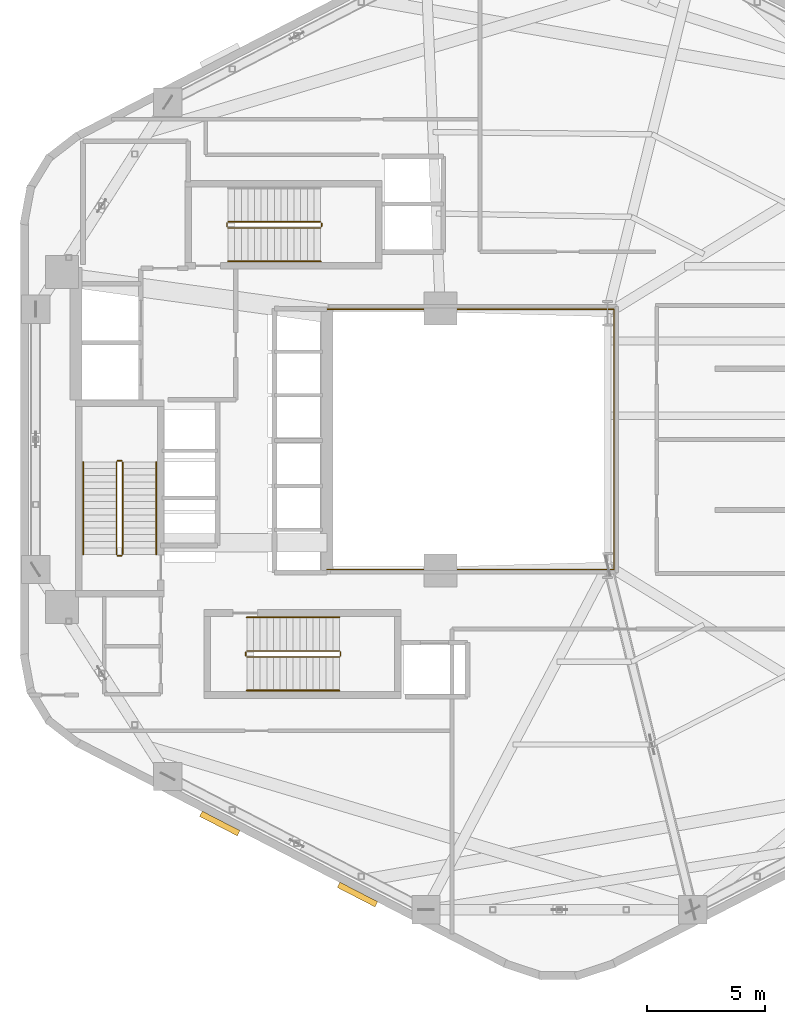
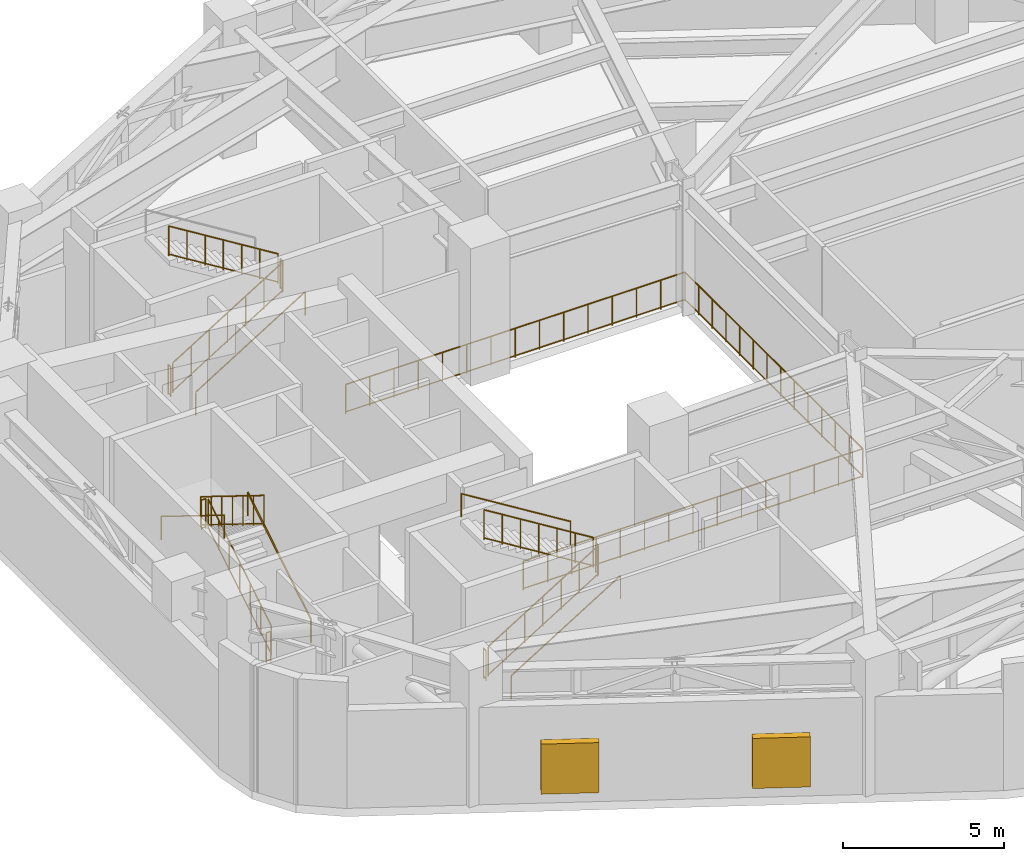
# One storey, part 13 of 14: 18 railings, 2 shading devices.
"""IFC4 building model written with IfcOpenShell, lengths in metres."""

from ifc_helpers import new_model, si_unit, direction, frame, origin, origin_2d, place, context, subcontext, project, spatial, rectangle, circle, extrude, material, type_object, element, save


model = new_model("IFC4")

# Units and contexts
model_context = context("Model", 3, precision=1e-05, world=origin(), true_north=direction((0.0, 1.0)))
body_context = subcontext(model_context, "Body", "Model", "MODEL_VIEW")
ifc_project = project(units=[si_unit("LENGTHUNIT", "METRE"), si_unit("AREAUNIT", "SQUARE_METRE"), si_unit("VOLUMEUNIT", "CUBIC_METRE"), si_unit("PLANEANGLEUNIT", "RADIAN"), si_unit("MASSUNIT", "GRAM", prefix="KILO"), si_unit("THERMODYNAMICTEMPERATUREUNIT", "KELVIN"), si_unit("POWERUNIT", "WATT")], contexts=[model_context])

# Site, building, storey
site_placement = place(None, origin())
site = spatial("IfcSite", under=ifc_project, at=site_placement, CompositionType="ELEMENT")
building_placement = place(site_placement, origin())
building = spatial("IfcBuilding", under=site, at=building_placement, Name="Skarre Station Tower", CompositionType="ELEMENT")
storey_placement = place(building_placement, frame((0.0, 0.0, 96.35009765625)))
storey = spatial("IfcBuildingStorey", under=building, at=storey_placement, Name="L25", CompositionType="ELEMENT", Elevation=96.35009765625)

# Railings
ifc_material_1 = material(Name="Bronze Anodized Steel & Laminated Glass Balustrade", Category="steel")
railing_type_1 = type_object("IfcRailingType", Name="Atrium Void & Mezzanine Guard Balustrade 1120", PredefinedType="GUARDRAIL", material=ifc_material_1)
railing_1_placement = place(storey_placement, frame((27.550048828125, 18.47998046875, 0.0)))
element("IfcRailing", 1, at=railing_1_placement, inside=storey, type_object=railing_type_1, Name="L25 Atrium Void Guard Balustrade", PredefinedType="GUARDRAIL", context=body_context, shape_type="SweptSolid", body=[
    extrude(circle(Radius=0.02392578125, at=origin_2d()), frame((0.0, 0.0, 1.09619140625), z_axis=(1.0, 0.0, 0.0), x_axis=(0.0, 1.0, 0.0)), (0.0, 0.0, 1.0), 12.169921875),
    extrude(circle(Radius=0.02099609375, at=origin_2d()), frame((0.0, 0.0, 0.06005859375), z_axis=(1.0, 0.0, 0.0), x_axis=(0.0, 1.0, 0.0)), (0.0, 0.0, 1.0), 12.169921875),
    extrude(circle(Radius=0.02392578125, at=origin_2d()), frame((12.169921875, 0.0, 1.09619140625), z_axis=(0.0, 1.0, 0.0), x_axis=(-1.0, 0.0, 0.0)), (0.0, 0.0, 1.0), 11.0400390625),
    extrude(circle(Radius=0.02099609375, at=origin_2d()), frame((12.169921875, 0.0, 0.06005859375), z_axis=(0.0, 1.0, 0.0), x_axis=(-1.0, 0.0, 0.0)), (0.0, 0.0, 1.0), 11.0400390625),
    extrude(circle(Radius=0.02392578125, at=origin_2d()), frame((12.169921875, 11.0400390625, 1.09619140625), z_axis=(-1.0, 0.0, 0.0), x_axis=(0.0, -1.0, 0.0)), (0.0, 0.0, 1.0), 12.169921875),
    extrude(circle(Radius=0.02099609375, at=origin_2d()), frame((12.169921875, 11.0400390625, 0.06005859375), z_axis=(-1.0, 0.0, 0.0), x_axis=(0.0, -1.0, 0.0)), (0.0, 0.0, 1.0), 12.169921875),
    extrude(circle(Radius=0.02099609375, at=origin_2d()), origin(), (0.0, 0.0, 1.0), 1.072021484375),
    extrude(circle(Radius=0.02099609375, at=origin_2d()), frame((0.869384765625, 0.0, 0.0)), (0.0, 0.0, 1.0), 1.072021484375),
    extrude(circle(Radius=0.02099609375, at=origin_2d()), frame((1.738525390625, 0.0, 0.0)), (0.0, 0.0, 1.0), 1.072021484375),
    extrude(circle(Radius=0.02099609375, at=origin_2d()), frame((2.60791015625, 0.0, 0.0)), (0.0, 0.0, 1.0), 1.072021484375),
    extrude(circle(Radius=0.02099609375, at=origin_2d()), frame((3.47705078125, 0.0, 0.0)), (0.0, 0.0, 1.0), 1.072021484375),
    extrude(circle(Radius=0.02099609375, at=origin_2d()), frame((4.346435546875, 0.0, 0.0)), (0.0, 0.0, 1.0), 1.072021484375),
    extrude(circle(Radius=0.02099609375, at=origin_2d()), frame((5.215576171875, 0.0, 0.0)), (0.0, 0.0, 1.0), 1.072021484375),
    extrude(circle(Radius=0.02099609375, at=origin_2d()), frame((6.0849609375, 0.0, 0.0)), (0.0, 0.0, 1.0), 1.072021484375),
    extrude(circle(Radius=0.02099609375, at=origin_2d()), frame((6.954345703125, 0.0, 0.0)), (0.0, 0.0, 1.0), 1.072021484375),
    extrude(circle(Radius=0.02099609375, at=origin_2d()), frame((7.823486328125, 0.0, 0.0)), (0.0, 0.0, 1.0), 1.072021484375),
    extrude(circle(Radius=0.02099609375, at=origin_2d()), frame((8.69287109375, 0.0, 0.0)), (0.0, 0.0, 1.0), 1.072021484375),
    extrude(circle(Radius=0.02099609375, at=origin_2d()), frame((9.56201171875, 0.0, 0.0)), (0.0, 0.0, 1.0), 1.072021484375),
    extrude(circle(Radius=0.02099609375, at=origin_2d()), frame((10.431396484375, 0.0, 0.0)), (0.0, 0.0, 1.0), 1.072021484375),
    extrude(circle(Radius=0.02099609375, at=origin_2d()), frame((11.300537109375, 0.0, 0.0)), (0.0, 0.0, 1.0), 1.072021484375),
    extrude(circle(Radius=0.02099609375, at=origin_2d()), frame((12.169921875, 0.0, 0.0)), (0.0, 0.0, 1.0), 1.072021484375),
    extrude(circle(Radius=0.02099609375, at=origin_2d()), frame((12.169921875, 0.84912109375, 0.0)), (0.0, 0.0, 1.0), 1.072021484375),
    extrude(circle(Radius=0.02099609375, at=origin_2d()), frame((12.169921875, 1.698486328125, 0.0)), (0.0, 0.0, 1.0), 1.072021484375),
    extrude(circle(Radius=0.02099609375, at=origin_2d()), frame((12.169921875, 2.547607421875, 0.0)), (0.0, 0.0, 1.0), 1.072021484375),
    extrude(circle(Radius=0.02099609375, at=origin_2d()), frame((12.169921875, 3.39697265625, 0.0)), (0.0, 0.0, 1.0), 1.072021484375),
    extrude(circle(Radius=0.02099609375, at=origin_2d()), frame((12.169921875, 4.24609375, 0.0)), (0.0, 0.0, 1.0), 1.072021484375),
    extrude(circle(Radius=0.02099609375, at=origin_2d()), frame((12.169921875, 5.095458984375, 0.0)), (0.0, 0.0, 1.0), 1.072021484375),
    extrude(circle(Radius=0.02099609375, at=origin_2d()), frame((12.169921875, 5.944580078125, 0.0)), (0.0, 0.0, 1.0), 1.072021484375),
    extrude(circle(Radius=0.02099609375, at=origin_2d()), frame((12.169921875, 6.7939453125, 0.0)), (0.0, 0.0, 1.0), 1.072021484375),
    extrude(circle(Radius=0.02099609375, at=origin_2d()), frame((12.169921875, 7.64306640625, 0.0)), (0.0, 0.0, 1.0), 1.072021484375),
    extrude(circle(Radius=0.02099609375, at=origin_2d()), frame((12.169921875, 8.492431640625, 0.0)), (0.0, 0.0, 1.0), 1.072021484375),
    extrude(circle(Radius=0.02099609375, at=origin_2d()), frame((12.169921875, 9.341552734375, 0.0)), (0.0, 0.0, 1.0), 1.072021484375),
    extrude(circle(Radius=0.02099609375, at=origin_2d()), frame((12.169921875, 10.19091796875, 0.0)), (0.0, 0.0, 1.0), 1.072021484375),
    extrude(circle(Radius=0.02099609375, at=origin_2d()), frame((12.169921875, 11.0400390625, 0.0)), (0.0, 0.0, 1.0), 1.072021484375),
    extrude(circle(Radius=0.02099609375, at=origin_2d()), frame((11.300537109375, 11.0400390625, 0.0)), (0.0, 0.0, 1.0), 1.072021484375),
    extrude(circle(Radius=0.02099609375, at=origin_2d()), frame((10.431396484375, 11.0400390625, 0.0)), (0.0, 0.0, 1.0), 1.072021484375),
    extrude(circle(Radius=0.02099609375, at=origin_2d()), frame((9.56201171875, 11.0400390625, 0.0)), (0.0, 0.0, 1.0), 1.072021484375),
    extrude(circle(Radius=0.02099609375, at=origin_2d()), frame((8.69287109375, 11.0400390625, 0.0)), (0.0, 0.0, 1.0), 1.072021484375),
    extrude(circle(Radius=0.02099609375, at=origin_2d()), frame((7.823486328125, 11.0400390625, 0.0)), (0.0, 0.0, 1.0), 1.072021484375),
    extrude(circle(Radius=0.02099609375, at=origin_2d()), frame((6.954345703125, 11.0400390625, 0.0)), (0.0, 0.0, 1.0), 1.072021484375),
    extrude(circle(Radius=0.02099609375, at=origin_2d()), frame((6.0849609375, 11.0400390625, 0.0)), (0.0, 0.0, 1.0), 1.072021484375),
    extrude(circle(Radius=0.02099609375, at=origin_2d()), frame((5.215576171875, 11.0400390625, 0.0)), (0.0, 0.0, 1.0), 1.072021484375),
    extrude(circle(Radius=0.02099609375, at=origin_2d()), frame((4.346435546875, 11.0400390625, 0.0)), (0.0, 0.0, 1.0), 1.072021484375),
    extrude(circle(Radius=0.02099609375, at=origin_2d()), frame((3.47705078125, 11.0400390625, 0.0)), (0.0, 0.0, 1.0), 1.072021484375),
    extrude(circle(Radius=0.02099609375, at=origin_2d()), frame((2.60791015625, 11.0400390625, 0.0)), (0.0, 0.0, 1.0), 1.072021484375),
    extrude(circle(Radius=0.02099609375, at=origin_2d()), frame((1.738525390625, 11.0400390625, 0.0)), (0.0, 0.0, 1.0), 1.072021484375),
    extrude(circle(Radius=0.02099609375, at=origin_2d()), frame((0.869384765625, 11.0400390625, 0.0)), (0.0, 0.0, 1.0), 1.072021484375),
    extrude(circle(Radius=0.02099609375, at=origin_2d()), frame((0.0, 11.0400390625, 0.0)), (0.0, 0.0, 1.0), 1.072021484375),
])
ifc_material_2 = material(Name="Powder-Coated Tubular Steel", Category="steel")
railing_type_2 = type_object("IfcRailingType", Name="Painted Steel Ramp & Stair Handrail 920", PredefinedType="HANDRAIL", material=ifc_material_2)
railing_2_placement = place(storey_placement, frame((20.300048828125, 19.1201171875, 0.17333984375)))
element("IfcRailing", 2, at=railing_2_placement, inside=storey, type_object=railing_type_2, Name="L25 ST-1 stair handrail 1", PredefinedType="HANDRAIL", context=body_context, shape_type="SweptSolid", body=[
    extrude(circle(Radius=0.02392578125, at=origin_2d()), frame((0.0, 0.0, 0.8759765625), z_axis=(0.0, 0.850275303828, 0.526338206574), x_axis=(-1.0, 0.0, 0.0)), (0.0, 0.0, 1.0), 4.610107421875),
    extrude(circle(Radius=0.02099609375, at=origin_2d()), origin(), (0.0, 0.0, 1.0), 0.851806640625),
    extrude(circle(Radius=0.02099609375, at=origin_2d()), frame((0.0, 3.919921875, 2.426513671875)), (0.0, 0.0, 1.0), 0.851806640625),
])
railing_3_placement = place(storey_placement, frame((17.199951171875, 23.0400390625, 2.773193359375)))
element("IfcRailing", 3, at=railing_3_placement, inside=storey, type_object=railing_type_2, Name="L25 ST-1 stair handrail 2", PredefinedType="HANDRAIL", context=body_context, shape_type="SweptSolid", body=[
    extrude(circle(Radius=0.02392578125, at=origin_2d()), frame((0.0, 0.0, 0.8759765625), z_axis=(0.0, -0.850251603719, 0.526376491091), x_axis=(1.0, 0.0, 0.0)), (0.0, 0.0, 1.0), 4.6103515625),
    extrude(circle(Radius=0.02099609375, at=origin_2d()), origin(), (0.0, 0.0, 1.0), 0.851806640625),
    extrude(circle(Radius=0.02099609375, at=origin_2d()), frame((0.0, -3.919921875, 2.4267578125)), (0.0, 0.0, 1.0), 0.851806640625),
])
railing_4_placement = place(storey_placement, frame((24.14990234375, 13.35009765625, 0.17333984375)))
element("IfcRailing", 4, at=railing_4_placement, inside=storey, type_object=railing_type_2, Name="L25 ST-2 stair handrail 1", PredefinedType="HANDRAIL", context=body_context, shape_type="SweptSolid", body=[
    extrude(circle(Radius=0.02392578125, at=origin_2d()), frame((0.0, 0.0, 0.8759765625), z_axis=(0.850289973577, 0.0, 0.526314507528), x_axis=(0.0, 1.0, 0.0)), (0.0, 0.0, 1.0), 4.6103515625),
    extrude(circle(Radius=0.02099609375, at=origin_2d()), origin(), (0.0, 0.0, 1.0), 0.851806640625),
    extrude(circle(Radius=0.02099609375, at=origin_2d()), frame((3.920166015625, 0.0, 2.426513671875)), (0.0, 0.0, 1.0), 0.851806640625),
])
railing_5_placement = place(storey_placement, frame((28.070068359375, 16.449951171875, 2.773193359375)))
element("IfcRailing", 5, at=railing_5_placement, inside=storey, type_object=railing_type_2, Name="L25 ST-2 stair handrail 2", PredefinedType="HANDRAIL", context=body_context, shape_type="SweptSolid", body=[
    extrude(circle(Radius=0.02392578125, at=origin_2d()), frame((0.0, 0.0, 0.8759765625), z_axis=(-0.850266275192, 0.0, 0.526352791643), x_axis=(0.0, -1.0, 0.0)), (0.0, 0.0, 1.0), 4.610595703125),
    extrude(circle(Radius=0.02099609375, at=origin_2d()), origin(), (0.0, 0.0, 1.0), 0.851806640625),
    extrude(circle(Radius=0.02099609375, at=origin_2d()), frame((-3.920166015625, 0.0, 2.4267578125)), (0.0, 0.0, 1.0), 0.851806640625),
])
railing_6_placement = place(storey_placement, frame((23.35009765625, 31.550048828125, 0.17333984375)))
element("IfcRailing", 6, at=railing_6_placement, inside=storey, type_object=railing_type_2, Name="L25 ST-3 stair handrail 1", PredefinedType="HANDRAIL", context=body_context, shape_type="SweptSolid", body=[
    extrude(circle(Radius=0.02392578125, at=origin_2d()), frame((0.0, 0.0, 0.8759765625), z_axis=(0.850275303828, 0.0, 0.526338206574), x_axis=(0.0, 1.0, 0.0)), (0.0, 0.0, 1.0), 4.610107421875),
    extrude(circle(Radius=0.02099609375, at=origin_2d()), origin(), (0.0, 0.0, 1.0), 0.851806640625),
    extrude(circle(Radius=0.02099609375, at=origin_2d()), frame((3.919921875, 0.0, 2.426513671875)), (0.0, 0.0, 1.0), 0.851806640625),
])
railing_type_3 = type_object("IfcRailingType", Name="Painted Steel Stairwell Guardrail 1100", PredefinedType="GUARDRAIL", material=ifc_material_2)
railing_7_placement = place(storey_placement, frame((18.8798828125, 19.1201171875, 0.17333984375)))
element("IfcRailing", 7, at=railing_7_placement, inside=storey, type_object=railing_type_3, Name="L25 ST-1 stair guard 1", PredefinedType="GUARDRAIL", context=body_context, shape_type="SweptSolid", body=[
    extrude(circle(Radius=0.02392578125, at=origin_2d()), frame((0.0, 0.0, 1.1259765625), z_axis=(0.0, 0.850275303828, 0.526338206574), x_axis=(-1.0, 0.0, 0.0)), (0.0, 0.0, 1.0), 4.610107421875),
    extrude(circle(Radius=0.02099609375, at=origin_2d()), frame((0.0, 0.0, 0.06005859375), z_axis=(0.0, 0.850275303828, 0.526338206574), x_axis=(-1.0, 0.0, 0.0)), (0.0, 0.0, 1.0), 4.610107421875),
    extrude(circle(Radius=0.02099609375, at=origin_2d()), origin(), (0.0, 0.0, 1.0), 1.101806640625),
    extrude(circle(Radius=0.02099609375, at=origin_2d()), frame((0.0, 0.6533203125, 0.404296875)), (0.0, 0.0, 1.0), 1.101806640625),
    extrude(circle(Radius=0.02099609375, at=origin_2d()), frame((0.0, 1.306640625, 0.808837890625)), (0.0, 0.0, 1.0), 1.101806640625),
    extrude(circle(Radius=0.02099609375, at=origin_2d()), frame((0.0, 1.9599609375, 1.21337890625)), (0.0, 0.0, 1.0), 1.101806640625),
    extrude(circle(Radius=0.02099609375, at=origin_2d()), frame((0.0, 2.61328125, 1.61767578125)), (0.0, 0.0, 1.0), 1.101806640625),
    extrude(circle(Radius=0.02099609375, at=origin_2d()), frame((0.0, 3.2666015625, 2.02197265625)), (0.0, 0.0, 1.0), 1.101806640625),
    extrude(circle(Radius=0.02099609375, at=origin_2d()), frame((0.0, 3.919921875, 2.426513671875)), (0.0, 0.0, 1.0), 1.101806640625),
])
railing_8_placement = place(storey_placement, frame((18.830078125, 23.090087890625, 2.599853515625)))
element("IfcRailing", 8, at=railing_8_placement, inside=storey, type_object=railing_type_3, Name="L25 ST-1 stair guard 2", PredefinedType="GUARDRAIL", context=body_context, shape_type="SweptSolid", body=[
    extrude(circle(Radius=0.02392578125, at=origin_2d()), frame((0.0, 0.0, 1.1259765625), z_axis=(-1.0, 0.0, 0.0), x_axis=(0.0, -1.0, 0.0)), (0.0, 0.0, 1.0), 0.16015625),
    extrude(circle(Radius=0.02099609375, at=origin_2d()), frame((0.0, 0.0, 0.06005859375), z_axis=(-1.0, 0.0, 0.0), x_axis=(0.0, -1.0, 0.0)), (0.0, 0.0, 1.0), 0.16015625),
    extrude(circle(Radius=0.02099609375, at=origin_2d()), origin(), (0.0, 0.0, 1.0), 1.101806640625),
    extrude(circle(Radius=0.02099609375, at=origin_2d()), frame((-0.16015625, 0.0, 0.0)), (0.0, 0.0, 1.0), 1.101806640625),
])
railing_9_placement = place(storey_placement, frame((18.6201171875, 23.0400390625, 2.773193359375)))
element("IfcRailing", 9, at=railing_9_placement, inside=storey, type_object=railing_type_3, Name="L25 ST-1 stair guard 3", PredefinedType="GUARDRAIL", context=body_context, shape_type="SweptSolid", body=[
    extrude(circle(Radius=0.02392578125, at=origin_2d()), frame((0.0, 0.0, 1.1259765625), z_axis=(0.0, -0.850251603719, 0.526376491091), x_axis=(1.0, 0.0, 0.0)), (0.0, 0.0, 1.0), 4.6103515625),
    extrude(circle(Radius=0.02099609375, at=origin_2d()), frame((0.0, 0.0, 0.06005859375), z_axis=(0.0, -0.850251603719, 0.526376491091), x_axis=(1.0, 0.0, 0.0)), (0.0, 0.0, 1.0), 4.6103515625),
    extrude(circle(Radius=0.02099609375, at=origin_2d()), origin(), (0.0, 0.0, 1.0), 1.101806640625),
    extrude(circle(Radius=0.02099609375, at=origin_2d()), frame((0.0, -0.6533203125, 0.404541015625)), (0.0, 0.0, 1.0), 1.101806640625),
    extrude(circle(Radius=0.02099609375, at=origin_2d()), frame((0.0, -1.306640625, 0.808837890625)), (0.0, 0.0, 1.0), 1.101806640625),
    extrude(circle(Radius=0.02099609375, at=origin_2d()), frame((0.0, -1.9599609375, 1.21337890625)), (0.0, 0.0, 1.0), 1.101806640625),
    extrude(circle(Radius=0.02099609375, at=origin_2d()), frame((0.0, -2.61328125, 1.617919921875)), (0.0, 0.0, 1.0), 1.101806640625),
    extrude(circle(Radius=0.02099609375, at=origin_2d()), frame((0.0, -3.2666015625, 2.022216796875)), (0.0, 0.0, 1.0), 1.101806640625),
    extrude(circle(Radius=0.02099609375, at=origin_2d()), frame((0.0, -3.919921875, 2.4267578125)), (0.0, 0.0, 1.0), 1.101806640625),
])
railing_10_placement = place(storey_placement, frame((18.830078125, 19.070068359375, 0.0)))
element("IfcRailing", 10, at=railing_10_placement, inside=storey, type_object=railing_type_3, Name="L25 ST-1 stair guard 4", PredefinedType="GUARDRAIL", context=body_context, shape_type="SweptSolid", body=[
    extrude(circle(Radius=0.02392578125, at=origin_2d()), frame((0.0, 0.0, 1.1259765625), z_axis=(-1.0, 0.0, 0.0), x_axis=(0.0, -1.0, 0.0)), (0.0, 0.0, 1.0), 0.16015625),
    extrude(circle(Radius=0.02099609375, at=origin_2d()), frame((0.0, 0.0, 0.06005859375), z_axis=(-1.0, 0.0, 0.0), x_axis=(0.0, -1.0, 0.0)), (0.0, 0.0, 1.0), 0.16015625),
    extrude(circle(Radius=0.02099609375, at=origin_2d()), origin(), (0.0, 0.0, 1.0), 1.101806640625),
    extrude(circle(Radius=0.02099609375, at=origin_2d()), frame((-0.16015625, 0.0, 0.0)), (0.0, 0.0, 1.0), 1.101806640625),
])
railing_11_placement = place(storey_placement, frame((24.14990234375, 14.77001953125, 0.17333984375)))
element("IfcRailing", 11, at=railing_11_placement, inside=storey, type_object=railing_type_3, Name="L25 ST-2 stair guard 1", PredefinedType="GUARDRAIL", context=body_context, shape_type="SweptSolid", body=[
    extrude(circle(Radius=0.02392578125, at=origin_2d()), frame((0.0, 0.0, 1.1259765625), z_axis=(0.850289973577, 0.0, 0.526314507528), x_axis=(0.0, 1.0, 0.0)), (0.0, 0.0, 1.0), 4.6103515625),
    extrude(circle(Radius=0.02099609375, at=origin_2d()), frame((0.0, 0.0, 0.06005859375), z_axis=(0.850289973577, 0.0, 0.526314507528), x_axis=(0.0, 1.0, 0.0)), (0.0, 0.0, 1.0), 4.6103515625),
    extrude(circle(Radius=0.02099609375, at=origin_2d()), origin(), (0.0, 0.0, 1.0), 1.101806640625),
    extrude(circle(Radius=0.02099609375, at=origin_2d()), frame((0.6533203125, 0.0, 0.404296875)), (0.0, 0.0, 1.0), 1.101806640625),
    extrude(circle(Radius=0.02099609375, at=origin_2d()), frame((1.306640625, 0.0, 0.808837890625)), (0.0, 0.0, 1.0), 1.101806640625),
    extrude(circle(Radius=0.02099609375, at=origin_2d()), frame((1.9599609375, 0.0, 1.21337890625)), (0.0, 0.0, 1.0), 1.101806640625),
    extrude(circle(Radius=0.02099609375, at=origin_2d()), frame((2.613525390625, 0.0, 1.61767578125)), (0.0, 0.0, 1.0), 1.101806640625),
    extrude(circle(Radius=0.02099609375, at=origin_2d()), frame((3.266845703125, 0.0, 2.02197265625)), (0.0, 0.0, 1.0), 1.101806640625),
    extrude(circle(Radius=0.02099609375, at=origin_2d()), frame((3.920166015625, 0.0, 2.426513671875)), (0.0, 0.0, 1.0), 1.101806640625),
])
railing_12_placement = place(storey_placement, frame((28.1201171875, 14.820068359375, 2.599853515625)))
element("IfcRailing", 12, at=railing_12_placement, inside=storey, type_object=railing_type_3, Name="L25 ST-2 stair guard 2", PredefinedType="GUARDRAIL", context=body_context, shape_type="SweptSolid", body=[
    extrude(circle(Radius=0.02392578125, at=origin_2d()), frame((0.0, 0.0, 1.1259765625), z_axis=(0.0, 1.0, 0.0), x_axis=(-1.0, 0.0, 0.0)), (0.0, 0.0, 1.0), 0.159912109375),
    extrude(circle(Radius=0.02099609375, at=origin_2d()), frame((0.0, 0.0, 0.06005859375), z_axis=(0.0, 1.0, 0.0), x_axis=(-1.0, 0.0, 0.0)), (0.0, 0.0, 1.0), 0.159912109375),
    extrude(circle(Radius=0.02099609375, at=origin_2d()), origin(), (0.0, 0.0, 1.0), 1.101806640625),
    extrude(circle(Radius=0.02099609375, at=origin_2d()), frame((0.0, 0.159912109375, 0.0)), (0.0, 0.0, 1.0), 1.101806640625),
])
railing_13_placement = place(storey_placement, frame((28.070068359375, 15.030029296875, 2.773193359375)))
element("IfcRailing", 13, at=railing_13_placement, inside=storey, type_object=railing_type_3, Name="L25 ST-2 stair guard 3", PredefinedType="GUARDRAIL", context=body_context, shape_type="SweptSolid", body=[
    extrude(circle(Radius=0.02392578125, at=origin_2d()), frame((0.0, 0.0, 1.1259765625), z_axis=(-0.850266275192, 0.0, 0.526352791643), x_axis=(0.0, -1.0, 0.0)), (0.0, 0.0, 1.0), 4.610595703125),
    extrude(circle(Radius=0.02099609375, at=origin_2d()), frame((0.0, 0.0, 0.06005859375), z_axis=(-0.850266275192, 0.0, 0.526352791643), x_axis=(0.0, -1.0, 0.0)), (0.0, 0.0, 1.0), 4.610595703125),
    extrude(circle(Radius=0.02099609375, at=origin_2d()), origin(), (0.0, 0.0, 1.0), 1.101806640625),
    extrude(circle(Radius=0.02099609375, at=origin_2d()), frame((-0.6533203125, 0.0, 0.404541015625)), (0.0, 0.0, 1.0), 1.101806640625),
    extrude(circle(Radius=0.02099609375, at=origin_2d()), frame((-1.306640625, 0.0, 0.808837890625)), (0.0, 0.0, 1.0), 1.101806640625),
    extrude(circle(Radius=0.02099609375, at=origin_2d()), frame((-1.9599609375, 0.0, 1.21337890625)), (0.0, 0.0, 1.0), 1.101806640625),
    extrude(circle(Radius=0.02099609375, at=origin_2d()), frame((-2.613525390625, 0.0, 1.617919921875)), (0.0, 0.0, 1.0), 1.101806640625),
    extrude(circle(Radius=0.02099609375, at=origin_2d()), frame((-3.266845703125, 0.0, 2.022216796875)), (0.0, 0.0, 1.0), 1.101806640625),
    extrude(circle(Radius=0.02099609375, at=origin_2d()), frame((-3.920166015625, 0.0, 2.4267578125)), (0.0, 0.0, 1.0), 1.101806640625),
])
railing_14_placement = place(storey_placement, frame((24.10009765625, 14.820068359375, 0.0)))
element("IfcRailing", 14, at=railing_14_placement, inside=storey, type_object=railing_type_3, Name="L25 ST-2 stair guard 4", PredefinedType="GUARDRAIL", context=body_context, shape_type="SweptSolid", body=[
    extrude(circle(Radius=0.02392578125, at=origin_2d()), frame((0.0, 0.0, 1.1259765625), z_axis=(0.0, 1.0, 0.0), x_axis=(-1.0, 0.0, 0.0)), (0.0, 0.0, 1.0), 0.159912109375),
    extrude(circle(Radius=0.02099609375, at=origin_2d()), frame((0.0, 0.0, 0.06005859375), z_axis=(0.0, 1.0, 0.0), x_axis=(-1.0, 0.0, 0.0)), (0.0, 0.0, 1.0), 0.159912109375),
    extrude(circle(Radius=0.02099609375, at=origin_2d()), origin(), (0.0, 0.0, 1.0), 1.101806640625),
    extrude(circle(Radius=0.02099609375, at=origin_2d()), frame((0.0, 0.159912109375, 0.0)), (0.0, 0.0, 1.0), 1.101806640625),
])
railing_15_placement = place(storey_placement, frame((23.35009765625, 32.969970703125, 0.17333984375)))
element("IfcRailing", 15, at=railing_15_placement, inside=storey, type_object=railing_type_3, Name="L25 ST-3 stair guard 1", PredefinedType="GUARDRAIL", context=body_context, shape_type="SweptSolid", body=[
    extrude(circle(Radius=0.02392578125, at=origin_2d()), frame((0.0, 0.0, 1.1259765625), z_axis=(0.850275303828, 0.0, 0.526338206574), x_axis=(0.0, 1.0, 0.0)), (0.0, 0.0, 1.0), 4.610107421875),
    extrude(circle(Radius=0.02099609375, at=origin_2d()), frame((0.0, 0.0, 0.06005859375), z_axis=(0.850275303828, 0.0, 0.526338206574), x_axis=(0.0, 1.0, 0.0)), (0.0, 0.0, 1.0), 4.610107421875),
    extrude(circle(Radius=0.02099609375, at=origin_2d()), origin(), (0.0, 0.0, 1.0), 1.101806640625),
    extrude(circle(Radius=0.02099609375, at=origin_2d()), frame((0.6533203125, 0.0, 0.404296875)), (0.0, 0.0, 1.0), 1.101806640625),
    extrude(circle(Radius=0.02099609375, at=origin_2d()), frame((1.306640625, 0.0, 0.808837890625)), (0.0, 0.0, 1.0), 1.101806640625),
    extrude(circle(Radius=0.02099609375, at=origin_2d()), frame((1.9599609375, 0.0, 1.21337890625)), (0.0, 0.0, 1.0), 1.101806640625),
    extrude(circle(Radius=0.02099609375, at=origin_2d()), frame((2.61328125, 0.0, 1.61767578125)), (0.0, 0.0, 1.0), 1.101806640625),
    extrude(circle(Radius=0.02099609375, at=origin_2d()), frame((3.2666015625, 0.0, 2.02197265625)), (0.0, 0.0, 1.0), 1.101806640625),
    extrude(circle(Radius=0.02099609375, at=origin_2d()), frame((3.919921875, 0.0, 2.426513671875)), (0.0, 0.0, 1.0), 1.101806640625),
])
railing_16_placement = place(storey_placement, frame((27.320068359375, 33.02001953125, 2.599853515625)))
element("IfcRailing", 16, at=railing_16_placement, inside=storey, type_object=railing_type_3, Name="L25 ST-3 stair guard 2", PredefinedType="GUARDRAIL", context=body_context, shape_type="SweptSolid", body=[
    extrude(circle(Radius=0.02392578125, at=origin_2d()), frame((0.0, 0.0, 1.1259765625), z_axis=(0.0, 1.0, 0.0), x_axis=(-1.0, 0.0, 0.0)), (0.0, 0.0, 1.0), 0.159912109375),
    extrude(circle(Radius=0.02099609375, at=origin_2d()), frame((0.0, 0.0, 0.06005859375), z_axis=(0.0, 1.0, 0.0), x_axis=(-1.0, 0.0, 0.0)), (0.0, 0.0, 1.0), 0.159912109375),
    extrude(circle(Radius=0.02099609375, at=origin_2d()), origin(), (0.0, 0.0, 1.0), 1.101806640625),
    extrude(circle(Radius=0.02099609375, at=origin_2d()), frame((0.0, 0.159912109375, 0.0)), (0.0, 0.0, 1.0), 1.101806640625),
])
railing_17_placement = place(storey_placement, frame((27.27001953125, 33.22998046875, 2.773193359375)))
element("IfcRailing", 17, at=railing_17_placement, inside=storey, type_object=railing_type_3, Name="L25 ST-3 stair guard 3", PredefinedType="GUARDRAIL", context=body_context, shape_type="SweptSolid", body=[
    extrude(circle(Radius=0.02392578125, at=origin_2d()), frame((0.0, 0.0, 1.1259765625), z_axis=(-0.850251603719, 0.0, 0.526376491091), x_axis=(0.0, -1.0, 0.0)), (0.0, 0.0, 1.0), 4.6103515625),
    extrude(circle(Radius=0.02099609375, at=origin_2d()), frame((0.0, 0.0, 0.06005859375), z_axis=(-0.850251603719, 0.0, 0.526376491091), x_axis=(0.0, -1.0, 0.0)), (0.0, 0.0, 1.0), 4.6103515625),
    extrude(circle(Radius=0.02099609375, at=origin_2d()), origin(), (0.0, 0.0, 1.0), 1.101806640625),
    extrude(circle(Radius=0.02099609375, at=origin_2d()), frame((-0.6533203125, 0.0, 0.404541015625)), (0.0, 0.0, 1.0), 1.101806640625),
    extrude(circle(Radius=0.02099609375, at=origin_2d()), frame((-1.306640625, 0.0, 0.808837890625)), (0.0, 0.0, 1.0), 1.101806640625),
    extrude(circle(Radius=0.02099609375, at=origin_2d()), frame((-1.9599609375, 0.0, 1.21337890625)), (0.0, 0.0, 1.0), 1.101806640625),
    extrude(circle(Radius=0.02099609375, at=origin_2d()), frame((-2.61328125, 0.0, 1.617919921875)), (0.0, 0.0, 1.0), 1.101806640625),
    extrude(circle(Radius=0.02099609375, at=origin_2d()), frame((-3.2666015625, 0.0, 2.022216796875)), (0.0, 0.0, 1.0), 1.101806640625),
    extrude(circle(Radius=0.02099609375, at=origin_2d()), frame((-3.919921875, 0.0, 2.4267578125)), (0.0, 0.0, 1.0), 1.101806640625),
])
railing_18_placement = place(storey_placement, frame((23.300048828125, 33.02001953125, 0.0)))
element("IfcRailing", 18, at=railing_18_placement, inside=storey, type_object=railing_type_3, Name="L25 ST-3 stair guard 4", PredefinedType="GUARDRAIL", context=body_context, shape_type="SweptSolid", body=[
    extrude(circle(Radius=0.02392578125, at=origin_2d()), frame((0.0, 0.0, 1.1259765625), z_axis=(0.0, 1.0, 0.0), x_axis=(-1.0, 0.0, 0.0)), (0.0, 0.0, 1.0), 0.159912109375),
    extrude(circle(Radius=0.02099609375, at=origin_2d()), frame((0.0, 0.0, 0.06005859375), z_axis=(0.0, 1.0, 0.0), x_axis=(-1.0, 0.0, 0.0)), (0.0, 0.0, 1.0), 0.159912109375),
    extrude(circle(Radius=0.02099609375, at=origin_2d()), origin(), (0.0, 0.0, 1.0), 1.101806640625),
    extrude(circle(Radius=0.02099609375, at=origin_2d()), frame((0.0, 0.159912109375, 0.0)), (0.0, 0.0, 1.0), 1.101806640625),
])

# Shading devices
ifc_material_3 = material(Name="Powder-Coated Aluminium Acoustic Louvre", Category="aluminium")
shading_device_type = type_object("IfcShadingDeviceType", Name="Plant Intake Acoustic Weather Louvre 1800x2200", PredefinedType="JALOUSIE", material=ifc_material_3)
for number, where, z_axis, x_axis, name in (
    (19, (28.8369140625, 4.696044921875, 0.5), (0.0, 0.0, 1.0), (-0.458618535612, -0.888633242003, 0.0), "L25 Facet 3 Mechanical Intake Louvre 1"),
    (20, (22.9990234375, 7.708984375, 0.5), (0.0, 0.0, 1.0), (-0.458618535612, -0.888633242003, 0.0), "L25 Facet 3 Mechanical Intake Louvre 2"),
):
    element("IfcShadingDevice", number, at=place(storey_placement, frame(where, z_axis=z_axis, x_axis=x_axis)), inside=storey, type_object=shading_device_type, Name=name, PredefinedType="JALOUSIE", context=body_context, shape_type="SweptSolid", body=[
        extrude(rectangle(XDim=0.25, YDim=1.800048828125, at=origin_2d()), origin(), (0.0, 0.0, 1.0), 1.89990234375),
    ])

save(model, "model.ifc")
